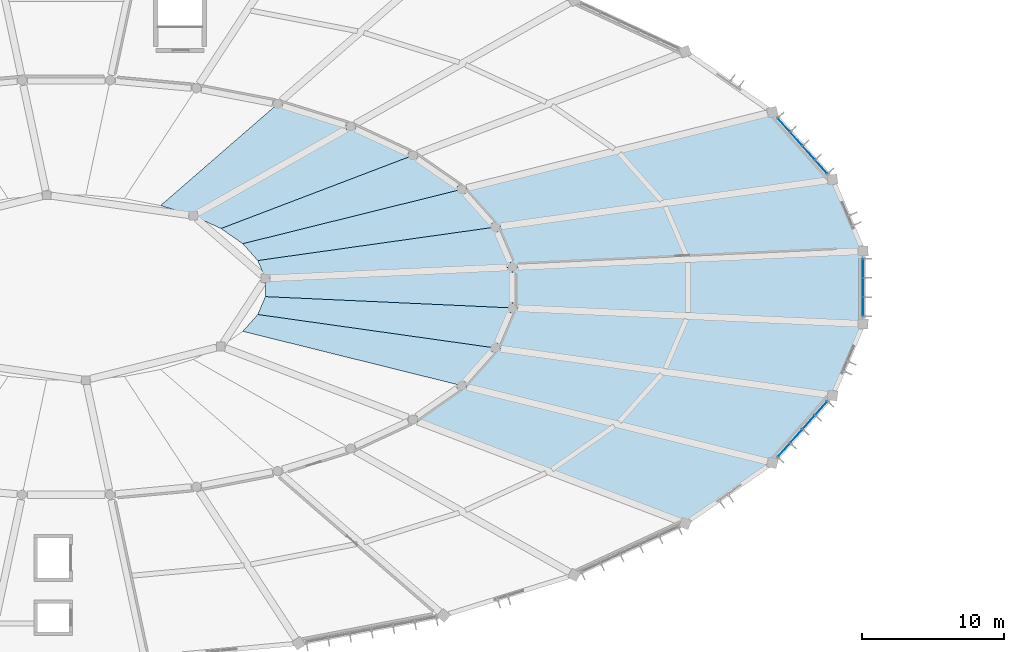
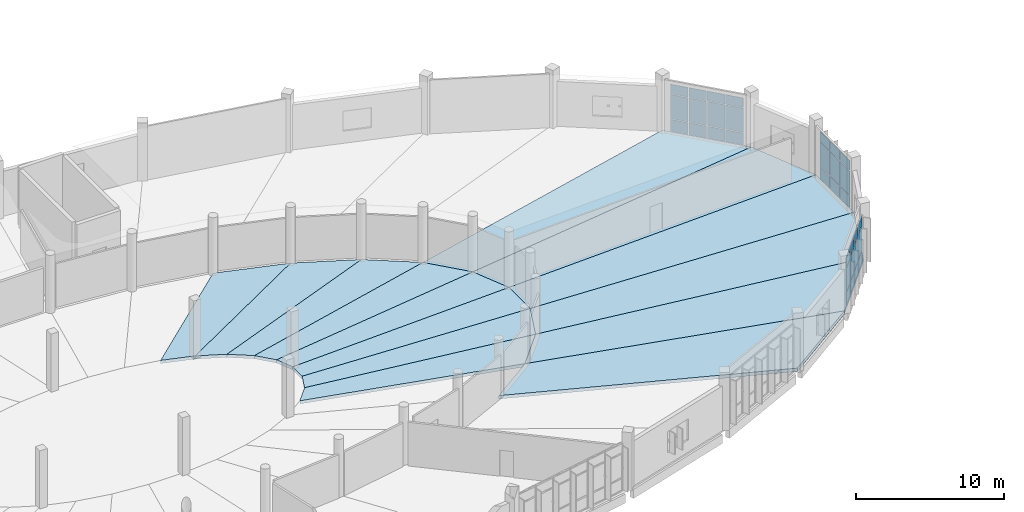
# One storey, part 105 of 179: 33 plates, 14 slabs, 3 elements without a shape of their own.
"""IFC4 building model written with IfcOpenShell, lengths in metres."""

import ifcopenshell
import ifcopenshell.guid

model = None  # the IFC model being written
_history = None  # IfcOwnerHistory: only IFC2X3 demands one
_inside = {}  # id of a spatial element -> (the spatial element, [elements in it])
_under = {}  # id of a project, library or spatial element -> (it, [spatial elements below it])
_declared = {}  # id of a project -> (the project, [libraries it declares])
_typed = {}  # id of a type object -> (the type object, [elements of that type])
_made_of = {}  # id of a material, layer set ... -> (it, [elements and type objects made of it])


def new_model(schema):
    """Start an empty IFC model of exactly this schema.

    Asked for "IFC4X3", IfcOpenShell would pick the latest addendum, in which some entities
    have other attributes; the version numbers below select the first issue.
    IFC2X3 requires an IfcOwnerHistory on every rooted entity: one is made here for all.
    """
    global model, _history
    if schema == "IFC4X3":
        model = ifcopenshell.file(schema_version=(4, 3, 0, 0))
    else:
        model = ifcopenshell.file(schema=schema)
    _inside.clear()
    _under.clear()
    _declared.clear()
    _typed.clear()
    _made_of.clear()
    _history = None
    if model.schema == "IFC2X3":
        org = make("IfcOrganization", Name="unknown")
        user = make(
            "IfcPersonAndOrganization",
            ThePerson=make("IfcPerson", FamilyName="unknown"),
            TheOrganization=org,
        )
        app = make(
            "IfcApplication",
            ApplicationDeveloper=org,
            Version="unknown",
            ApplicationFullName="unknown",
            ApplicationIdentifier="unknown",
        )
        _history = make(
            "IfcOwnerHistory",
            OwningUser=user,
            OwningApplication=app,
            ChangeAction="ADDED",
            CreationDate=0,
        )
    return model


def make(cls, **values):
    """One entity of the class cls with the attributes given. An attribute that is None is left unset."""
    return model.create_entity(
        cls, **{name: value for name, value in values.items() if value is not None}
    )


def rooted(cls, **values):
    """An entity with a GlobalId (a new one), such as an element, a storey or a relation."""
    return make(cls, GlobalId=ifcopenshell.guid.new(), OwnerHistory=_history, **values)


def si_unit(unit_type, name, prefix=None):
    """IfcSIUnit, for example si_unit("LENGTHUNIT", "METRE", prefix="MILLI")."""
    return make("IfcSIUnit", UnitType=unit_type, Prefix=prefix, Name=name)


def assignment(units):
    """IfcUnitAssignment: the units of a project."""
    return None if units is None else make("IfcUnitAssignment", Units=units)


def point(xyz):
    """IfcCartesianPoint."""
    return None if xyz is None else make("IfcCartesianPoint", Coordinates=xyz)


def direction(xyz):
    """IfcDirection."""
    return None if xyz is None else make("IfcDirection", DirectionRatios=xyz)


def frame(location, z_axis=None, x_axis=None):
    """IfcAxis2Placement3D, a coordinate frame: its origin and axes. An axis left out is left unset."""
    return make(
        "IfcAxis2Placement3D",
        Location=point(location),
        Axis=direction(z_axis),
        RefDirection=direction(x_axis),
    )


def frame_2d(location, x_axis=None):
    """IfcAxis2Placement2D, a coordinate frame in the plane: its origin and x axis."""
    return make(
        "IfcAxis2Placement2D", Location=point(location), RefDirection=direction(x_axis)
    )


def origin():
    """The frame at (0, 0, 0) with its axes left unset."""
    return frame((0.0, 0.0, 0.0))


def origin_2d():
    """The frame at (0, 0) in the plane with its x axis left unset."""
    return frame_2d((0.0, 0.0))


def place(relative_to, where):
    """IfcLocalPlacement: puts the frame where relative to a parent placement (None: the world)."""
    return make(
        "IfcLocalPlacement", PlacementRelTo=relative_to, RelativePlacement=where
    )


def context(
    kind, dimensions, precision=None, world=None, true_north=None, identifier=None
):
    """IfcGeometricRepresentationContext, for example the 3D "Model" context."""
    return make(
        "IfcGeometricRepresentationContext",
        ContextIdentifier=identifier,
        ContextType=kind,
        CoordinateSpaceDimension=dimensions,
        Precision=precision,
        WorldCoordinateSystem=world,
        TrueNorth=true_north,
    )


def subcontext(parent, identifier, kind, view, scale=None):
    """IfcGeometricRepresentationSubContext, for example "Body" below "Model"."""
    return make(
        "IfcGeometricRepresentationSubContext",
        ContextIdentifier=identifier,
        ContextType=kind,
        ParentContext=parent,
        TargetScale=scale,
        TargetView=view,
    )


def project(units=None, contexts=None):
    """IfcProject with its units and contexts."""
    return rooted(
        "IfcProject",
        Name="project",
        RepresentationContexts=contexts,
        UnitsInContext=assignment(units),
    )


def spatial(cls, under=None, at=None, **own):
    """A site, building, storey or space (cls), placed at a placement, below another one or the project."""
    s = rooted(cls, ObjectPlacement=at, **own)
    if under is not None:
        _under.setdefault(under.id(), (under, []))[1].append(s)
    return s


def polyline(points):
    """IfcPolyline through the points."""
    return make("IfcPolyline", Points=[point(p) for p in points])


def profile(cls, at=None, kind="AREA", **sizes):
    """A parametric profile (cls). Its sizes go by their IFC names, for example OverallWidth=200.0."""
    return make(cls, ProfileType=kind, Position=at, **sizes)


def rectangle(**sizes):
    """IfcRectangleProfileDef."""
    return profile("IfcRectangleProfileDef", **sizes)


def outline(outer, holes=None, kind="AREA"):
    """IfcArbitraryClosedProfileDef: a profile drawn as a closed curve; with holes, ...WithVoids."""
    if holes is None:
        return make("IfcArbitraryClosedProfileDef", ProfileType=kind, OuterCurve=outer)
    return make(
        "IfcArbitraryProfileDefWithVoids",
        ProfileType=kind,
        OuterCurve=outer,
        InnerCurves=holes,
    )


def extrude(swept, where, along, depth):
    """IfcExtrudedAreaSolid: the profile swept, set in the frame where, extruded along a direction by depth."""
    return make(
        "IfcExtrudedAreaSolid",
        SweptArea=swept,
        Position=where,
        ExtrudedDirection=direction(along),
        Depth=depth,
    )


def shape(context_of_items, identifier, shape_type, items):
    """IfcShapeRepresentation: the items that make up one representation, for example the "Body"."""
    return make(
        "IfcShapeRepresentation",
        ContextOfItems=context_of_items,
        RepresentationIdentifier=identifier,
        RepresentationType=shape_type,
        Items=items,
    )


def material(Name=None, Category=None):
    """IfcMaterial."""
    return make("IfcMaterial", Name=Name, Category=Category)


def layer(
    of_material, thickness, ventilated=None, Name=None, Category=None, Priority=None
):
    """IfcMaterialLayer: one layer of a wall or slab, of a material (None: an air gap)."""
    return make(
        "IfcMaterialLayer",
        Material=of_material,
        LayerThickness=thickness,
        IsVentilated=ventilated,
        Name=Name,
        Category=Category,
        Priority=Priority,
    )


def layer_set(layers, Name=None):
    """IfcMaterialLayerSet."""
    return make("IfcMaterialLayerSet", MaterialLayers=layers, LayerSetName=Name)


def made_of(thing, what):
    """Note that an element or type object is made of a material, layer set ...; save() writes the relation."""
    if what is not None:
        _made_of.setdefault(what.id(), (what, []))[1].append(thing)
    return thing


def type_object(cls, material=None, **own):
    """A type object (cls), such as IfcWallType, which elements share."""
    return made_of(rooted(cls, **own), material)


def element(
    cls,
    number,
    at=None,
    inside=None,
    cuts=None,
    type_object=None,
    material=None,
    context=None,
    identifier="Body",
    shape_type=None,
    held_by="IfcProductDefinitionShape",
    body=None,
    shapes=None,
    **own,
):
    """One element of the class cls, such as IfcWall. Its Tag is "e" and its number.

    at: its placement. inside: the storey or other place that contains it. cuts: it is an
    opening in that element (IfcRelVoidsElement). A single representation is given by context,
    identifier, shape_type and body (its items); several are given by shapes. held_by: the class
    of the entity that holds the representations. save() writes the other relations.
    """
    e = rooted(cls, Tag="e%d" % number, ObjectPlacement=at, **own)
    if body is not None:
        shapes = [shape(context, identifier, shape_type, body)]
    if shapes is not None:
        e.Representation = make(held_by, Representations=shapes)
    if inside is not None:
        _inside.setdefault(inside.id(), (inside, []))[1].append(e)
    if cuts is not None:
        rooted(
            "IfcRelVoidsElement", RelatingBuildingElement=cuts, RelatedOpeningElement=e
        )
    if type_object is not None:
        _typed.setdefault(type_object.id(), (type_object, []))[1].append(e)
    return made_of(e, material)


def aggregate(whole, parts):
    """IfcRelAggregates: a whole, such as a stair, and the parts it consists of."""
    return rooted("IfcRelAggregates", RelatingObject=whole, RelatedObjects=parts)


def save(model, path):
    """Write the relations noted so far, then the file.

    IfcRelAggregates (storeys below a building ...), IfcRelContainedInSpatialStructure (elements
    in a storey), IfcRelDefinesByType, IfcRelAssociatesMaterial and IfcRelDeclares: one each for
    every whole, place, type object, material and project.
    """
    for whole, parts in _under.values():
        aggregate(whole, parts)
    for where, things in _inside.values():
        rooted(
            "IfcRelContainedInSpatialStructure",
            RelatedElements=things,
            RelatingStructure=where,
        )
    for kind, things in _typed.values():
        rooted("IfcRelDefinesByType", RelatedObjects=things, RelatingType=kind)
    for what, things in _made_of.values():
        rooted("IfcRelAssociatesMaterial", RelatedObjects=things, RelatingMaterial=what)
    for by, libraries in _declared.values():
        rooted("IfcRelDeclares", RelatingContext=by, RelatedDefinitions=libraries)
    model.write(path)


model = new_model("IFC4")

# Units and contexts
model_context = context("Model", 3, precision=1e-05, world=origin(), true_north=direction((0.0, 1.0)))
body_context = subcontext(model_context, "Body", "Model", "MODEL_VIEW")
ifc_project = project(units=[si_unit("LENGTHUNIT", "METRE"), si_unit("AREAUNIT", "SQUARE_METRE"), si_unit("VOLUMEUNIT", "CUBIC_METRE"), si_unit("PLANEANGLEUNIT", "RADIAN"), si_unit("MASSUNIT", "GRAM", prefix="KILO")], contexts=[model_context])

# Site, building, storey
site_placement = place(None, origin())
site = spatial("IfcSite", under=ifc_project, at=site_placement, CompositionType="ELEMENT")
building_placement = place(site_placement, origin())
building = spatial("IfcBuilding", under=site, at=building_placement, Name="Corvandel Quay Wholesale Market", CompositionType="ELEMENT")
storey_placement = place(building_placement, frame((0.0, 0.0, 6.0)))
storey = spatial("IfcBuildingStorey", under=building, at=storey_placement, Name="L01", CompositionType="ELEMENT", Elevation=6.0)

# Curtain wall, plates
ifc_material_1 = material(Name="Bronze anodised aluminium and low-E insulated glazing", Category="aluminium")
ifc_layer_1 = layer(ifc_material_1, 0.18603515625)
ifc_layer_set_1 = layer_set([ifc_layer_1], Name="Bronze anodised aluminium and low-E insulated glazing")
curtain_wall_type_1 = type_object("IfcCurtainWallType", Name="Stick Curtain Wall System CW08 H3720", PredefinedType="NOTDEFINED", material=ifc_layer_set_1)
curtain_wall_1_placement = place(storey_placement, origin())
curtain_wall_1 = element("IfcCurtainWall", 1, at=curtain_wall_1_placement, inside=storey, type_object=curtain_wall_type_1, Name="Curtain Wall CW-0091", PredefinedType="NOTDEFINED")
ifc_material_2 = material(Name="Solar-control low-E insulated glazing", Category="glass")
ifc_layer_2 = layer(ifc_material_2, 0.0400390625)
ifc_layer_set_2 = layer_set([ifc_layer_2], Name="Solar-control low-E insulated glazing")
plate_type_1 = type_object("IfcPlateType", Name="Ceramic Fritted Spandrel Panel PN03 40mm", PredefinedType="CURTAIN_PANEL", material=ifc_layer_set_2)
plate_1_placement = place(storey_placement, frame((167.05078125, 124.477783203125, 3.1298828125), z_axis=(0.0, 0.0, 1.0), x_axis=(-0.665621202286, 0.746289766155, 0.0)))
plate_1 = element("IfcPlate", 2, at=plate_1_placement, type_object=plate_type_1, Name="Glazing Panel CW-0091-P00-2", PredefinedType="CURTAIN_PANEL", context=body_context, shape_type="SweptSolid", body=[
    extrude(rectangle(XDim=1.250244140625, YDim=0.0400390625, at=origin_2d()), origin(), (0.0, 0.0, 1.0), 0.7900390625),
])
plate_2_placement = place(storey_placement, frame((166.17529296875, 125.459228515625, 3.1298828125), z_axis=(0.0, 0.0, 1.0), x_axis=(-0.665621202286, 0.746289766155, 0.0)))
plate_2 = element("IfcPlate", 3, at=plate_2_placement, type_object=plate_type_1, Name="Glazing Panel CW-0091-P01-2", PredefinedType="CURTAIN_PANEL", context=body_context, shape_type="SweptSolid", body=[
    extrude(rectangle(XDim=1.250244140625, YDim=0.0400390625, at=origin_2d()), origin(), (0.0, 0.0, 1.0), 0.7900390625),
])
plate_3_placement = place(storey_placement, frame((165.2998046875, 126.440673828125, 3.1298828125), z_axis=(0.0, 0.0, 1.0), x_axis=(-0.665621202286, 0.746289766155, 0.0)))
plate_3 = element("IfcPlate", 4, at=plate_3_placement, type_object=plate_type_1, Name="Glazing Panel CW-0091-P02-2", PredefinedType="CURTAIN_PANEL", context=body_context, shape_type="SweptSolid", body=[
    extrude(rectangle(XDim=1.250244140625, YDim=0.0400390625, at=origin_2d()), origin(), (0.0, 0.0, 1.0), 0.7900390625),
])
plate_4_placement = place(storey_placement, frame((164.42431640625, 127.422119140625, 3.1298828125), z_axis=(0.0, 0.0, 1.0), x_axis=(-0.665621202286, 0.746289766155, 0.0)))
plate_4 = element("IfcPlate", 5, at=plate_4_placement, type_object=plate_type_1, Name="Glazing Panel CW-0091-P03-2", PredefinedType="CURTAIN_PANEL", context=body_context, shape_type="SweptSolid", body=[
    extrude(rectangle(XDim=1.250244140625, YDim=0.0400390625, at=origin_2d()), origin(), (0.0, 0.0, 1.0), 0.7900390625),
])

curtain_wall_2_placement = place(storey_placement, origin())
curtain_wall_2 = element("IfcCurtainWall", 6, at=curtain_wall_2_placement, inside=storey, type_object=curtain_wall_type_1, Name="Curtain Wall CW-0127", PredefinedType="NOTDEFINED")
plate_5_placement = place(storey_placement, frame((164.42431640625, 104.577880859375, 3.1298828125), z_axis=(0.0, 0.0, 1.0), x_axis=(0.665621202286, 0.746289766155, 0.0)))
plate_5 = element("IfcPlate", 7, at=plate_5_placement, type_object=plate_type_1, Name="Glazing Panel CW-0127-P00-2", PredefinedType="CURTAIN_PANEL", context=body_context, shape_type="SweptSolid", body=[
    extrude(rectangle(XDim=1.250244140625, YDim=0.0400390625, at=origin_2d()), origin(), (0.0, 0.0, 1.0), 0.7900390625),
])
plate_6_placement = place(storey_placement, frame((165.2998046875, 105.559326171875, 3.1298828125), z_axis=(0.0, 0.0, 1.0), x_axis=(0.665621202286, 0.746289766155, 0.0)))
plate_6 = element("IfcPlate", 8, at=plate_6_placement, type_object=plate_type_1, Name="Glazing Panel CW-0127-P01-2", PredefinedType="CURTAIN_PANEL", context=body_context, shape_type="SweptSolid", body=[
    extrude(rectangle(XDim=1.250244140625, YDim=0.0400390625, at=origin_2d()), origin(), (0.0, 0.0, 1.0), 0.7900390625),
])
plate_7_placement = place(storey_placement, frame((166.17529296875, 106.540771484375, 3.1298828125), z_axis=(0.0, 0.0, 1.0), x_axis=(0.665621202286, 0.746289766155, 0.0)))
plate_7 = element("IfcPlate", 9, at=plate_7_placement, type_object=plate_type_1, Name="Glazing Panel CW-0127-P02-2", PredefinedType="CURTAIN_PANEL", context=body_context, shape_type="SweptSolid", body=[
    extrude(rectangle(XDim=1.250244140625, YDim=0.0400390625, at=origin_2d()), origin(), (0.0, 0.0, 1.0), 0.7900390625),
])
plate_8_placement = place(storey_placement, frame((167.05078125, 107.522216796875, 3.1298828125), z_axis=(0.0, 0.0, 1.0), x_axis=(0.665621202286, 0.746289766155, 0.0)))
plate_8 = element("IfcPlate", 10, at=plate_8_placement, type_object=plate_type_1, Name="Glazing Panel CW-0127-P03-2", PredefinedType="CURTAIN_PANEL", context=body_context, shape_type="SweptSolid", body=[
    extrude(rectangle(XDim=1.250244140625, YDim=0.0400390625, at=origin_2d()), origin(), (0.0, 0.0, 1.0), 0.7900390625),
])

ifc_layer_3 = layer(ifc_material_1, 0.14990234375)
ifc_layer_set_3 = layer_set([ifc_layer_3], Name="Bronze anodised aluminium and low-E insulated glazing")
curtain_wall_type_2 = type_object("IfcCurtainWallType", Name="Stick Curtain Wall System CW10 H3900", PredefinedType="NOTDEFINED", material=ifc_layer_set_3)
curtain_wall_3_placement = place(storey_placement, origin())
curtain_wall_3 = element("IfcCurtainWall", 11, at=curtain_wall_3_placement, inside=storey, type_object=curtain_wall_type_2, Name="Curtain Wall CW-0129", PredefinedType="NOTDEFINED")
plate_9_placement = place(storey_placement, frame((170.0, 114.652587890625, 3.1298828125), z_axis=(0.0, 0.0, 1.0), x_axis=(0.0, 1.0, 0.0)))
plate_9 = element("IfcPlate", 12, at=plate_9_placement, type_object=plate_type_1, Name="Glazing Panel CW-0129-P00-2", PredefinedType="CURTAIN_PANEL", context=body_context, shape_type="SweptSolid", body=[
    extrude(rectangle(XDim=1.2822265625, YDim=0.0400390625, at=origin_2d()), origin(), (0.0, 0.0, 1.0), 0.7900390625),
])
plate_10_placement = place(storey_placement, frame((170.0, 116.0, 3.1298828125), z_axis=(0.0, 0.0, 1.0), x_axis=(0.0, 1.0, 0.0)))
plate_10 = element("IfcPlate", 13, at=plate_10_placement, type_object=plate_type_1, Name="Glazing Panel CW-0129-P01-2", PredefinedType="CURTAIN_PANEL", context=body_context, shape_type="SweptSolid", body=[
    extrude(rectangle(XDim=1.2822265625, YDim=0.0400390625, at=origin_2d()), origin(), (0.0, 0.0, 1.0), 0.7900390625),
])
plate_11_placement = place(storey_placement, frame((170.0, 117.347412109375, 3.1298828125), z_axis=(0.0, 0.0, 1.0), x_axis=(0.0, 1.0, 0.0)))
plate_11 = element("IfcPlate", 14, at=plate_11_placement, type_object=plate_type_1, Name="Glazing Panel CW-0129-P02-2", PredefinedType="CURTAIN_PANEL", context=body_context, shape_type="SweptSolid", body=[
    extrude(rectangle(XDim=1.2822265625, YDim=0.0400390625, at=origin_2d()), origin(), (0.0, 0.0, 1.0), 0.7900390625),
])

# Slabs
ifc_material_3 = material(Name="Concrete C40/50", Category="concrete")
ifc_layer_4 = layer(ifc_material_3, 0.260009765625)
ifc_layer_set_4 = layer_set([ifc_layer_4], Name="Concrete C40/50")
slab_type_1 = type_object("IfcSlabType", Name="Composite Market Canteen Floor Slab 260", PredefinedType="FLOOR", material=ifc_layer_set_4)
slab_1_placement = place(storey_placement, frame((0.0, 0.0, -0.260009765625)))
element("IfcSlab", 15, at=slab_1_placement, inside=storey, type_object=slab_type_1, Name="Slab SLB-0213", PredefinedType="FLOOR", context=body_context, shape_type="SweptSolid", body=[
    extrude(outline(polyline([(128.0, 116.639892578125), (127.4619140625, 117.89599609375), (144.155029296875, 120.2470703125), (145.360107421875, 117.43408203125), (128.0, 116.639892578125)])), origin(), (0.0, 0.0, 1.0), 0.260009765625),
])
slab_2_placement = place(storey_placement, frame((0.0, 0.0, -0.260009765625)))
element("IfcSlab", 16, at=slab_2_placement, inside=storey, type_object=slab_type_1, Name="Slab SLB-0217", PredefinedType="FLOOR", context=body_context, shape_type="SweptSolid", body=[
    extrude(outline(polyline([(127.4619140625, 117.89599609375), (126.406982421875, 119.0791015625), (141.791015625, 122.89697265625), (144.155029296875, 120.2470703125), (127.4619140625, 117.89599609375)])), origin(), (0.0, 0.0, 1.0), 0.260009765625),
])
slab_3_placement = place(storey_placement, frame((0.0, 0.0, -0.260009765625)))
element("IfcSlab", 17, at=slab_3_placement, inside=storey, type_object=slab_type_1, Name="Slab SLB-0221", PredefinedType="FLOOR", context=body_context, shape_type="SweptSolid", body=[
    extrude(outline(polyline([(126.406982421875, 119.0791015625), (124.875, 120.14404296875), (138.35888671875, 125.281005859375), (141.791015625, 122.89697265625), (126.406982421875, 119.0791015625)])), origin(), (0.0, 0.0, 1.0), 0.260009765625),
])
slab_4_placement = place(storey_placement, frame((0.0, 0.0, -0.260009765625)))
element("IfcSlab", 18, at=slab_4_placement, inside=storey, type_object=slab_type_1, Name="Slab SLB-0225", PredefinedType="FLOOR", context=body_context, shape_type="SweptSolid", body=[
    extrude(outline(polyline([(124.875, 120.14404296875), (122.924072265625, 121.049072265625), (133.990966796875, 127.30908203125), (138.35888671875, 125.281005859375), (124.875, 120.14404296875)])), origin(), (0.0, 0.0, 1.0), 0.260009765625),
])
slab_5_placement = place(storey_placement, frame((0.0, 0.0, -0.260009765625)))
element("IfcSlab", 19, at=slab_5_placement, inside=storey, type_object=slab_type_1, Name="Slab SLB-0229", PredefinedType="FLOOR", context=body_context, shape_type="SweptSolid", body=[
    extrude(outline(polyline([(122.924072265625, 121.049072265625), (120.631103515625, 121.760009765625), (128.85498046875, 128.903076171875), (133.990966796875, 127.30908203125), (122.924072265625, 121.049072265625)])), origin(), (0.0, 0.0, 1.0), 0.260009765625),
])
slab_6_placement = place(storey_placement, frame((0.0, 0.0, -0.260009765625)))
element("IfcSlab", 20, at=slab_6_placement, inside=storey, type_object=slab_type_1, Name="Slab SLB-0371", PredefinedType="FLOOR", context=body_context, shape_type="SweptSolid", body=[
    extrude(outline(polyline([(126.406982421875, 112.9208984375), (127.4619140625, 114.10400390625), (144.155029296875, 111.7529296875), (141.791015625, 109.10302734375), (126.406982421875, 112.9208984375)])), origin(), (0.0, 0.0, 1.0), 0.260009765625),
])
slab_7_placement = place(storey_placement, frame((0.0, 0.0, -0.260009765625)))
element("IfcSlab", 21, at=slab_7_placement, inside=storey, type_object=slab_type_1, Name="Slab SLB-0375", PredefinedType="FLOOR", context=body_context, shape_type="SweptSolid", body=[
    extrude(outline(polyline([(127.4619140625, 114.10400390625), (128.0, 115.360107421875), (145.360107421875, 114.56591796875), (144.155029296875, 111.7529296875), (127.4619140625, 114.10400390625)])), origin(), (0.0, 0.0, 1.0), 0.260009765625),
])
slab_8_placement = place(storey_placement, frame((0.0, 0.0, -0.260009765625)))
element("IfcSlab", 22, at=slab_8_placement, inside=storey, type_object=slab_type_1, Name="Slab SLB-0379", PredefinedType="FLOOR", context=body_context, shape_type="SweptSolid", body=[
    extrude(outline(polyline([(128.0, 115.360107421875), (128.0, 116.639892578125), (145.360107421875, 117.43408203125), (145.360107421875, 114.56591796875), (128.0, 115.360107421875)])), origin(), (0.0, 0.0, 1.0), 0.260009765625),
])
ifc_layer_5 = layer(ifc_material_3, 0.280029296875)
ifc_layer_set_5 = layer_set([ifc_layer_5], Name="Concrete C40/50")
slab_type_2 = type_object("IfcSlabType", Name="Composite Sorting Gallery Floor Slab 280", PredefinedType="FLOOR", material=ifc_layer_set_5)
slab_9_placement = place(storey_placement, frame((0.0, 0.0, -0.280029296875)))
element("IfcSlab", 23, at=slab_9_placement, inside=storey, type_object=slab_type_2, Name="Slab SLB-0212", PredefinedType="FLOOR", context=body_context, shape_type="SweptSolid", body=[
    extrude(outline(polyline([(145.360107421875, 117.43408203125), (144.155029296875, 120.2470703125), (167.847900390625, 123.583984375), (170.0, 118.56103515625), (145.360107421875, 117.43408203125)])), origin(), (0.0, 0.0, 1.0), 0.280029296875),
])
slab_10_placement = place(storey_placement, frame((0.0, 0.0, -0.280029296875)))
element("IfcSlab", 24, at=slab_10_placement, inside=storey, type_object=slab_type_2, Name="Slab SLB-0216", PredefinedType="FLOOR", context=body_context, shape_type="SweptSolid", body=[
    extrude(outline(polyline([(144.155029296875, 120.2470703125), (141.791015625, 122.89697265625), (163.626953125, 128.31591796875), (167.847900390625, 123.583984375), (144.155029296875, 120.2470703125)])), origin(), (0.0, 0.0, 1.0), 0.280029296875),
])
slab_11_placement = place(storey_placement, frame((0.0, 0.0, -0.280029296875)))
element("IfcSlab", 25, at=slab_11_placement, inside=storey, type_object=slab_type_2, Name="Slab SLB-0366", PredefinedType="FLOOR", context=body_context, shape_type="SweptSolid", body=[
    extrude(outline(polyline([(138.35888671875, 106.718994140625), (141.791015625, 109.10302734375), (163.626953125, 103.68408203125), (157.498046875, 99.426025390625), (138.35888671875, 106.718994140625)])), origin(), (0.0, 0.0, 1.0), 0.280029296875),
])
slab_12_placement = place(storey_placement, frame((0.0, 0.0, -0.280029296875)))
element("IfcSlab", 26, at=slab_12_placement, inside=storey, type_object=slab_type_2, Name="Slab SLB-0370", PredefinedType="FLOOR", context=body_context, shape_type="SweptSolid", body=[
    extrude(outline(polyline([(141.791015625, 109.10302734375), (144.155029296875, 111.7529296875), (167.847900390625, 108.416015625), (163.626953125, 103.68408203125), (141.791015625, 109.10302734375)])), origin(), (0.0, 0.0, 1.0), 0.280029296875),
])
slab_13_placement = place(storey_placement, frame((0.0, 0.0, -0.280029296875)))
element("IfcSlab", 27, at=slab_13_placement, inside=storey, type_object=slab_type_2, Name="Slab SLB-0374", PredefinedType="FLOOR", context=body_context, shape_type="SweptSolid", body=[
    extrude(outline(polyline([(144.155029296875, 111.7529296875), (145.360107421875, 114.56591796875), (170.0, 113.43896484375), (167.847900390625, 108.416015625), (144.155029296875, 111.7529296875)])), origin(), (0.0, 0.0, 1.0), 0.280029296875),
])
slab_14_placement = place(storey_placement, frame((0.0, 0.0, -0.280029296875)))
element("IfcSlab", 28, at=slab_14_placement, inside=storey, type_object=slab_type_2, Name="Slab SLB-0378", PredefinedType="FLOOR", context=body_context, shape_type="SweptSolid", body=[
    extrude(outline(polyline([(145.360107421875, 114.56591796875), (145.360107421875, 117.43408203125), (170.0, 118.56103515625), (170.0, 113.43896484375), (145.360107421875, 114.56591796875)])), origin(), (0.0, 0.0, 1.0), 0.280029296875),
])

# Plate
ifc_layer_6 = layer(ifc_material_2, 0.028076171875)
ifc_layer_set_6 = layer_set([ifc_layer_6], Name="Solar-control low-E insulated glazing")
plate_type_2 = type_object("IfcPlateType", Name="Double Low-E Vision Panel PN01 28mm", PredefinedType="CURTAIN_PANEL", material=ifc_layer_set_6)
plate_12_placement = place(storey_placement, frame((167.05078125, 124.477783203125, 0.02978515625), z_axis=(0.0, 0.0, 1.0), x_axis=(-0.665621202286, 0.746289766155, 0.0)))
plate_12 = element("IfcPlate", 29, at=plate_12_placement, type_object=plate_type_2, Name="Glazing Panel CW-0091-P00-0", PredefinedType="CURTAIN_PANEL", context=body_context, shape_type="SweptSolid", body=[
    extrude(rectangle(XDim=1.250244140625, YDim=0.028076171875, at=origin_2d()), origin(), (0.0, 0.0, 1.0), 0.989990234375),
])

plate_13_placement = place(storey_placement, frame((167.05078125, 124.477783203125, 1.080078125), z_axis=(0.0, 0.0, 1.0), x_axis=(-0.665621202286, 0.746289766155, 0.0)))
plate_13 = element("IfcPlate", 30, at=plate_13_placement, type_object=plate_type_2, Name="Glazing Panel CW-0091-P00-1", PredefinedType="CURTAIN_PANEL", context=body_context, shape_type="SweptSolid", body=[
    extrude(rectangle(XDim=1.250244140625, YDim=0.028076171875, at=origin_2d()), origin(), (0.0, 0.0, 1.0), 1.989990234375),
])

plate_14_placement = place(storey_placement, frame((166.17529296875, 125.459228515625, 0.02978515625), z_axis=(0.0, 0.0, 1.0), x_axis=(-0.665621202286, 0.746289766155, 0.0)))
plate_14 = element("IfcPlate", 31, at=plate_14_placement, type_object=plate_type_2, Name="Glazing Panel CW-0091-P01-0", PredefinedType="CURTAIN_PANEL", context=body_context, shape_type="SweptSolid", body=[
    extrude(rectangle(XDim=1.250244140625, YDim=0.028076171875, at=origin_2d()), origin(), (0.0, 0.0, 1.0), 0.989990234375),
])

plate_15_placement = place(storey_placement, frame((166.17529296875, 125.459228515625, 1.080078125), z_axis=(0.0, 0.0, 1.0), x_axis=(-0.665621202286, 0.746289766155, 0.0)))
plate_15 = element("IfcPlate", 32, at=plate_15_placement, type_object=plate_type_2, Name="Glazing Panel CW-0091-P01-1", PredefinedType="CURTAIN_PANEL", context=body_context, shape_type="SweptSolid", body=[
    extrude(rectangle(XDim=1.250244140625, YDim=0.028076171875, at=origin_2d()), origin(), (0.0, 0.0, 1.0), 1.989990234375),
])

plate_16_placement = place(storey_placement, frame((165.2998046875, 126.440673828125, 0.02978515625), z_axis=(0.0, 0.0, 1.0), x_axis=(-0.665621202286, 0.746289766155, 0.0)))
plate_16 = element("IfcPlate", 33, at=plate_16_placement, type_object=plate_type_2, Name="Glazing Panel CW-0091-P02-0", PredefinedType="CURTAIN_PANEL", context=body_context, shape_type="SweptSolid", body=[
    extrude(rectangle(XDim=1.250244140625, YDim=0.028076171875, at=origin_2d()), origin(), (0.0, 0.0, 1.0), 0.989990234375),
])

plate_17_placement = place(storey_placement, frame((165.2998046875, 126.440673828125, 1.080078125), z_axis=(0.0, 0.0, 1.0), x_axis=(-0.665621202286, 0.746289766155, 0.0)))
plate_17 = element("IfcPlate", 34, at=plate_17_placement, type_object=plate_type_2, Name="Glazing Panel CW-0091-P02-1", PredefinedType="CURTAIN_PANEL", context=body_context, shape_type="SweptSolid", body=[
    extrude(rectangle(XDim=1.250244140625, YDim=0.028076171875, at=origin_2d()), origin(), (0.0, 0.0, 1.0), 1.989990234375),
])

plate_18_placement = place(storey_placement, frame((164.42431640625, 127.422119140625, 0.02978515625), z_axis=(0.0, 0.0, 1.0), x_axis=(-0.665621202286, 0.746289766155, 0.0)))
plate_18 = element("IfcPlate", 35, at=plate_18_placement, type_object=plate_type_2, Name="Glazing Panel CW-0091-P03-0", PredefinedType="CURTAIN_PANEL", context=body_context, shape_type="SweptSolid", body=[
    extrude(rectangle(XDim=1.250244140625, YDim=0.028076171875, at=origin_2d()), origin(), (0.0, 0.0, 1.0), 0.989990234375),
])

plate_19_placement = place(storey_placement, frame((164.42431640625, 127.422119140625, 1.080078125), z_axis=(0.0, 0.0, 1.0), x_axis=(-0.665621202286, 0.746289766155, 0.0)))
plate_19 = element("IfcPlate", 36, at=plate_19_placement, type_object=plate_type_2, Name="Glazing Panel CW-0091-P03-1", PredefinedType="CURTAIN_PANEL", context=body_context, shape_type="SweptSolid", body=[
    extrude(rectangle(XDim=1.250244140625, YDim=0.028076171875, at=origin_2d()), origin(), (0.0, 0.0, 1.0), 1.989990234375),
])

aggregate(curtain_wall_1, [plate_12, plate_13, plate_1, plate_14, plate_15, plate_2, plate_16, plate_17, plate_3, plate_18, plate_19, plate_4])

plate_20_placement = place(storey_placement, frame((164.42431640625, 104.577880859375, 0.02978515625), z_axis=(0.0, 0.0, 1.0), x_axis=(0.665621202286, 0.746289766155, 0.0)))
plate_20 = element("IfcPlate", 37, at=plate_20_placement, type_object=plate_type_2, Name="Glazing Panel CW-0127-P00-0", PredefinedType="CURTAIN_PANEL", context=body_context, shape_type="SweptSolid", body=[
    extrude(rectangle(XDim=1.250244140625, YDim=0.028076171875, at=origin_2d()), origin(), (0.0, 0.0, 1.0), 0.989990234375),
])

plate_21_placement = place(storey_placement, frame((164.42431640625, 104.577880859375, 1.080078125), z_axis=(0.0, 0.0, 1.0), x_axis=(0.665621202286, 0.746289766155, 0.0)))
plate_21 = element("IfcPlate", 38, at=plate_21_placement, type_object=plate_type_2, Name="Glazing Panel CW-0127-P00-1", PredefinedType="CURTAIN_PANEL", context=body_context, shape_type="SweptSolid", body=[
    extrude(rectangle(XDim=1.250244140625, YDim=0.028076171875, at=origin_2d()), origin(), (0.0, 0.0, 1.0), 1.989990234375),
])

plate_22_placement = place(storey_placement, frame((165.2998046875, 105.559326171875, 0.02978515625), z_axis=(0.0, 0.0, 1.0), x_axis=(0.665621202286, 0.746289766155, 0.0)))
plate_22 = element("IfcPlate", 39, at=plate_22_placement, type_object=plate_type_2, Name="Glazing Panel CW-0127-P01-0", PredefinedType="CURTAIN_PANEL", context=body_context, shape_type="SweptSolid", body=[
    extrude(rectangle(XDim=1.250244140625, YDim=0.028076171875, at=origin_2d()), origin(), (0.0, 0.0, 1.0), 0.989990234375),
])

plate_23_placement = place(storey_placement, frame((165.2998046875, 105.559326171875, 1.080078125), z_axis=(0.0, 0.0, 1.0), x_axis=(0.665621202286, 0.746289766155, 0.0)))
plate_23 = element("IfcPlate", 40, at=plate_23_placement, type_object=plate_type_2, Name="Glazing Panel CW-0127-P01-1", PredefinedType="CURTAIN_PANEL", context=body_context, shape_type="SweptSolid", body=[
    extrude(rectangle(XDim=1.250244140625, YDim=0.028076171875, at=origin_2d()), origin(), (0.0, 0.0, 1.0), 1.989990234375),
])

plate_24_placement = place(storey_placement, frame((166.17529296875, 106.540771484375, 0.02978515625), z_axis=(0.0, 0.0, 1.0), x_axis=(0.665621202286, 0.746289766155, 0.0)))
plate_24 = element("IfcPlate", 41, at=plate_24_placement, type_object=plate_type_2, Name="Glazing Panel CW-0127-P02-0", PredefinedType="CURTAIN_PANEL", context=body_context, shape_type="SweptSolid", body=[
    extrude(rectangle(XDim=1.250244140625, YDim=0.028076171875, at=origin_2d()), origin(), (0.0, 0.0, 1.0), 0.989990234375),
])

plate_25_placement = place(storey_placement, frame((166.17529296875, 106.540771484375, 1.080078125), z_axis=(0.0, 0.0, 1.0), x_axis=(0.665621202286, 0.746289766155, 0.0)))
plate_25 = element("IfcPlate", 42, at=plate_25_placement, type_object=plate_type_2, Name="Glazing Panel CW-0127-P02-1", PredefinedType="CURTAIN_PANEL", context=body_context, shape_type="SweptSolid", body=[
    extrude(rectangle(XDim=1.250244140625, YDim=0.028076171875, at=origin_2d()), origin(), (0.0, 0.0, 1.0), 1.989990234375),
])

plate_26_placement = place(storey_placement, frame((167.05078125, 107.522216796875, 0.02978515625), z_axis=(0.0, 0.0, 1.0), x_axis=(0.665621202286, 0.746289766155, 0.0)))
plate_26 = element("IfcPlate", 43, at=plate_26_placement, type_object=plate_type_2, Name="Glazing Panel CW-0127-P03-0", PredefinedType="CURTAIN_PANEL", context=body_context, shape_type="SweptSolid", body=[
    extrude(rectangle(XDim=1.250244140625, YDim=0.028076171875, at=origin_2d()), origin(), (0.0, 0.0, 1.0), 0.989990234375),
])

plate_27_placement = place(storey_placement, frame((167.05078125, 107.522216796875, 1.080078125), z_axis=(0.0, 0.0, 1.0), x_axis=(0.665621202286, 0.746289766155, 0.0)))
plate_27 = element("IfcPlate", 44, at=plate_27_placement, type_object=plate_type_2, Name="Glazing Panel CW-0127-P03-1", PredefinedType="CURTAIN_PANEL", context=body_context, shape_type="SweptSolid", body=[
    extrude(rectangle(XDim=1.250244140625, YDim=0.028076171875, at=origin_2d()), origin(), (0.0, 0.0, 1.0), 1.989990234375),
])

aggregate(curtain_wall_2, [plate_20, plate_21, plate_5, plate_22, plate_23, plate_6, plate_24, plate_25, plate_7, plate_26, plate_27, plate_8])

plate_28_placement = place(storey_placement, frame((170.0, 114.652587890625, 0.02978515625), z_axis=(0.0, 0.0, 1.0), x_axis=(0.0, 1.0, 0.0)))
plate_28 = element("IfcPlate", 45, at=plate_28_placement, type_object=plate_type_2, Name="Glazing Panel CW-0129-P00-0", PredefinedType="CURTAIN_PANEL", context=body_context, shape_type="SweptSolid", body=[
    extrude(rectangle(XDim=1.2822265625, YDim=0.028076171875, at=origin_2d()), origin(), (0.0, 0.0, 1.0), 0.989990234375),
])

plate_29_placement = place(storey_placement, frame((170.0, 114.652587890625, 1.080078125), z_axis=(0.0, 0.0, 1.0), x_axis=(0.0, 1.0, 0.0)))
plate_29 = element("IfcPlate", 46, at=plate_29_placement, type_object=plate_type_2, Name="Glazing Panel CW-0129-P00-1", PredefinedType="CURTAIN_PANEL", context=body_context, shape_type="SweptSolid", body=[
    extrude(rectangle(XDim=1.2822265625, YDim=0.028076171875, at=origin_2d()), origin(), (0.0, 0.0, 1.0), 1.989990234375),
])

plate_30_placement = place(storey_placement, frame((170.0, 116.0, 0.02978515625), z_axis=(0.0, 0.0, 1.0), x_axis=(0.0, 1.0, 0.0)))
plate_30 = element("IfcPlate", 47, at=plate_30_placement, type_object=plate_type_2, Name="Glazing Panel CW-0129-P01-0", PredefinedType="CURTAIN_PANEL", context=body_context, shape_type="SweptSolid", body=[
    extrude(rectangle(XDim=1.2822265625, YDim=0.028076171875, at=origin_2d()), origin(), (0.0, 0.0, 1.0), 0.989990234375),
])

plate_31_placement = place(storey_placement, frame((170.0, 116.0, 1.080078125), z_axis=(0.0, 0.0, 1.0), x_axis=(0.0, 1.0, 0.0)))
plate_31 = element("IfcPlate", 48, at=plate_31_placement, type_object=plate_type_2, Name="Glazing Panel CW-0129-P01-1", PredefinedType="CURTAIN_PANEL", context=body_context, shape_type="SweptSolid", body=[
    extrude(rectangle(XDim=1.2822265625, YDim=0.028076171875, at=origin_2d()), origin(), (0.0, 0.0, 1.0), 1.989990234375),
])

plate_32_placement = place(storey_placement, frame((170.0, 117.347412109375, 0.02978515625), z_axis=(0.0, 0.0, 1.0), x_axis=(0.0, 1.0, 0.0)))
plate_32 = element("IfcPlate", 49, at=plate_32_placement, type_object=plate_type_2, Name="Glazing Panel CW-0129-P02-0", PredefinedType="CURTAIN_PANEL", context=body_context, shape_type="SweptSolid", body=[
    extrude(rectangle(XDim=1.2822265625, YDim=0.028076171875, at=origin_2d()), origin(), (0.0, 0.0, 1.0), 0.989990234375),
])

plate_33_placement = place(storey_placement, frame((170.0, 117.347412109375, 1.080078125), z_axis=(0.0, 0.0, 1.0), x_axis=(0.0, 1.0, 0.0)))
plate_33 = element("IfcPlate", 50, at=plate_33_placement, type_object=plate_type_2, Name="Glazing Panel CW-0129-P02-1", PredefinedType="CURTAIN_PANEL", context=body_context, shape_type="SweptSolid", body=[
    extrude(rectangle(XDim=1.2822265625, YDim=0.028076171875, at=origin_2d()), origin(), (0.0, 0.0, 1.0), 1.989990234375),
])

aggregate(curtain_wall_3, [plate_28, plate_29, plate_9, plate_30, plate_31, plate_10, plate_32, plate_33, plate_11])

save(model, "model.ifc")
